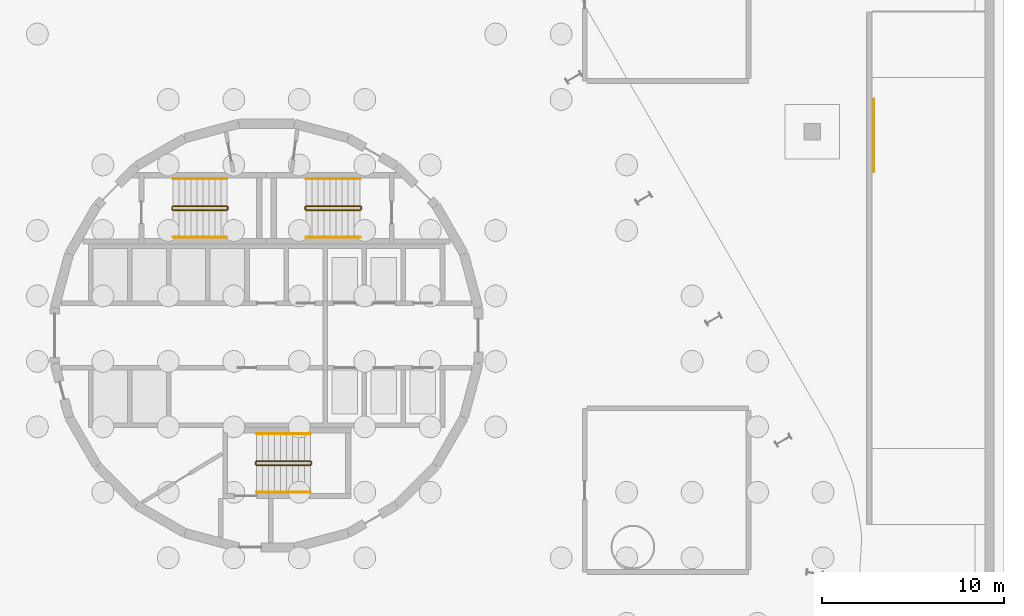
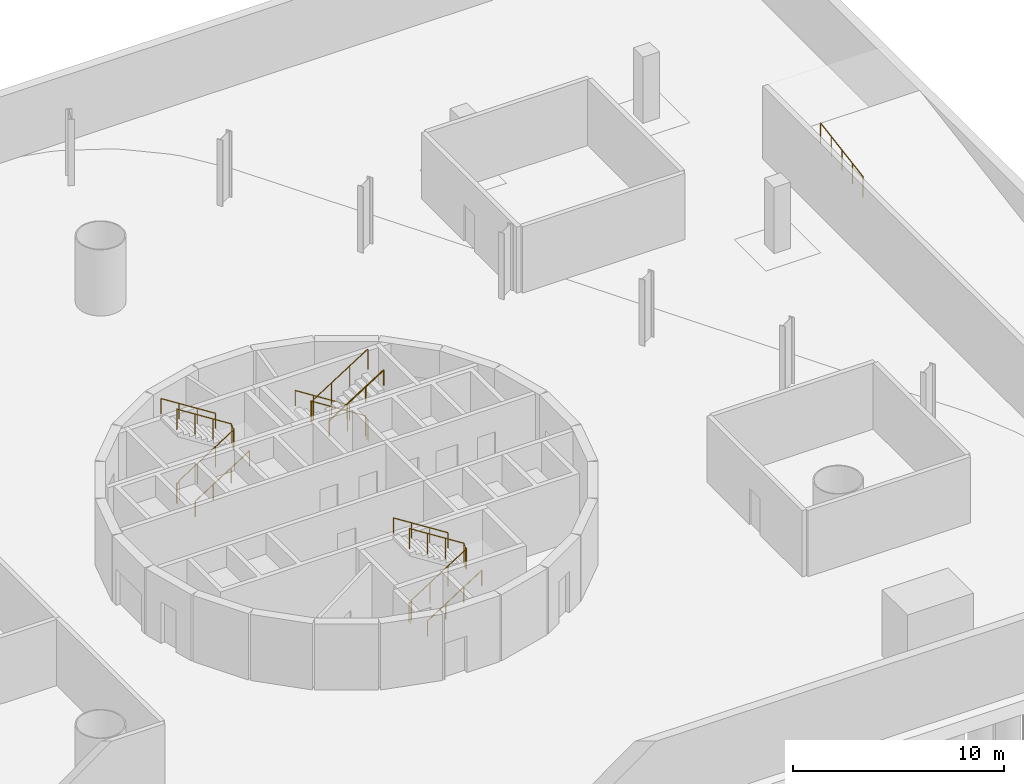
# One storey, part 10 of 11: 10 railings.
"""IFC4 building model written with IfcOpenShell, lengths in metres."""

import ifcopenshell
import ifcopenshell.guid

model = None  # the IFC model being written
_history = None  # IfcOwnerHistory: only IFC2X3 demands one
_inside = {}  # id of a spatial element -> (the spatial element, [elements in it])
_under = {}  # id of a project, library or spatial element -> (it, [spatial elements below it])
_declared = {}  # id of a project -> (the project, [libraries it declares])
_typed = {}  # id of a type object -> (the type object, [elements of that type])
_made_of = {}  # id of a material, layer set ... -> (it, [elements and type objects made of it])


def new_model(schema):
    """Start an empty IFC model of exactly this schema.

    Asked for "IFC4X3", IfcOpenShell would pick the latest addendum, in which some entities
    have other attributes; the version numbers below select the first issue.
    IFC2X3 requires an IfcOwnerHistory on every rooted entity: one is made here for all.
    """
    global model, _history
    if schema == "IFC4X3":
        model = ifcopenshell.file(schema_version=(4, 3, 0, 0))
    else:
        model = ifcopenshell.file(schema=schema)
    _inside.clear()
    _under.clear()
    _declared.clear()
    _typed.clear()
    _made_of.clear()
    _history = None
    if model.schema == "IFC2X3":
        org = make("IfcOrganization", Name="unknown")
        user = make(
            "IfcPersonAndOrganization",
            ThePerson=make("IfcPerson", FamilyName="unknown"),
            TheOrganization=org,
        )
        app = make(
            "IfcApplication",
            ApplicationDeveloper=org,
            Version="unknown",
            ApplicationFullName="unknown",
            ApplicationIdentifier="unknown",
        )
        _history = make(
            "IfcOwnerHistory",
            OwningUser=user,
            OwningApplication=app,
            ChangeAction="ADDED",
            CreationDate=0,
        )
    return model


def make(cls, **values):
    """One entity of the class cls with the attributes given. An attribute that is None is left unset."""
    return model.create_entity(
        cls, **{name: value for name, value in values.items() if value is not None}
    )


def rooted(cls, **values):
    """An entity with a GlobalId (a new one), such as an element, a storey or a relation."""
    return make(cls, GlobalId=ifcopenshell.guid.new(), OwnerHistory=_history, **values)


def si_unit(unit_type, name, prefix=None):
    """IfcSIUnit, for example si_unit("LENGTHUNIT", "METRE", prefix="MILLI")."""
    return make("IfcSIUnit", UnitType=unit_type, Prefix=prefix, Name=name)


def assignment(units):
    """IfcUnitAssignment: the units of a project."""
    return None if units is None else make("IfcUnitAssignment", Units=units)


def point(xyz):
    """IfcCartesianPoint."""
    return None if xyz is None else make("IfcCartesianPoint", Coordinates=xyz)


def direction(xyz):
    """IfcDirection."""
    return None if xyz is None else make("IfcDirection", DirectionRatios=xyz)


def frame(location, z_axis=None, x_axis=None):
    """IfcAxis2Placement3D, a coordinate frame: its origin and axes. An axis left out is left unset."""
    return make(
        "IfcAxis2Placement3D",
        Location=point(location),
        Axis=direction(z_axis),
        RefDirection=direction(x_axis),
    )


def frame_2d(location, x_axis=None):
    """IfcAxis2Placement2D, a coordinate frame in the plane: its origin and x axis."""
    return make(
        "IfcAxis2Placement2D", Location=point(location), RefDirection=direction(x_axis)
    )


def origin():
    """The frame at (0, 0, 0) with its axes left unset."""
    return frame((0.0, 0.0, 0.0))


def origin_2d():
    """The frame at (0, 0) in the plane with its x axis left unset."""
    return frame_2d((0.0, 0.0))


def place(relative_to, where):
    """IfcLocalPlacement: puts the frame where relative to a parent placement (None: the world)."""
    return make(
        "IfcLocalPlacement", PlacementRelTo=relative_to, RelativePlacement=where
    )


def context(
    kind, dimensions, precision=None, world=None, true_north=None, identifier=None
):
    """IfcGeometricRepresentationContext, for example the 3D "Model" context."""
    return make(
        "IfcGeometricRepresentationContext",
        ContextIdentifier=identifier,
        ContextType=kind,
        CoordinateSpaceDimension=dimensions,
        Precision=precision,
        WorldCoordinateSystem=world,
        TrueNorth=true_north,
    )


def subcontext(parent, identifier, kind, view, scale=None):
    """IfcGeometricRepresentationSubContext, for example "Body" below "Model"."""
    return make(
        "IfcGeometricRepresentationSubContext",
        ContextIdentifier=identifier,
        ContextType=kind,
        ParentContext=parent,
        TargetScale=scale,
        TargetView=view,
    )


def project(units=None, contexts=None):
    """IfcProject with its units and contexts."""
    return rooted(
        "IfcProject",
        Name="project",
        RepresentationContexts=contexts,
        UnitsInContext=assignment(units),
    )


def spatial(cls, under=None, at=None, **own):
    """A site, building, storey or space (cls), placed at a placement, below another one or the project."""
    s = rooted(cls, ObjectPlacement=at, **own)
    if under is not None:
        _under.setdefault(under.id(), (under, []))[1].append(s)
    return s


def profile(cls, at=None, kind="AREA", **sizes):
    """A parametric profile (cls). Its sizes go by their IFC names, for example OverallWidth=200.0."""
    return make(cls, ProfileType=kind, Position=at, **sizes)


def circle(**sizes):
    """IfcCircleProfileDef."""
    return profile("IfcCircleProfileDef", **sizes)


def extrude(swept, where, along, depth):
    """IfcExtrudedAreaSolid: the profile swept, set in the frame where, extruded along a direction by depth."""
    return make(
        "IfcExtrudedAreaSolid",
        SweptArea=swept,
        Position=where,
        ExtrudedDirection=direction(along),
        Depth=depth,
    )


def shape(context_of_items, identifier, shape_type, items):
    """IfcShapeRepresentation: the items that make up one representation, for example the "Body"."""
    return make(
        "IfcShapeRepresentation",
        ContextOfItems=context_of_items,
        RepresentationIdentifier=identifier,
        RepresentationType=shape_type,
        Items=items,
    )


def material(Name=None, Category=None):
    """IfcMaterial."""
    return make("IfcMaterial", Name=Name, Category=Category)


def made_of(thing, what):
    """Note that an element or type object is made of a material, layer set ...; save() writes the relation."""
    if what is not None:
        _made_of.setdefault(what.id(), (what, []))[1].append(thing)
    return thing


def type_object(cls, material=None, **own):
    """A type object (cls), such as IfcWallType, which elements share."""
    return made_of(rooted(cls, **own), material)


def element(
    cls,
    number,
    at=None,
    inside=None,
    cuts=None,
    type_object=None,
    material=None,
    context=None,
    identifier="Body",
    shape_type=None,
    held_by="IfcProductDefinitionShape",
    body=None,
    shapes=None,
    **own,
):
    """One element of the class cls, such as IfcWall. Its Tag is "e" and its number.

    at: its placement. inside: the storey or other place that contains it. cuts: it is an
    opening in that element (IfcRelVoidsElement). A single representation is given by context,
    identifier, shape_type and body (its items); several are given by shapes. held_by: the class
    of the entity that holds the representations. save() writes the other relations.
    """
    e = rooted(cls, Tag="e%d" % number, ObjectPlacement=at, **own)
    if body is not None:
        shapes = [shape(context, identifier, shape_type, body)]
    if shapes is not None:
        e.Representation = make(held_by, Representations=shapes)
    if inside is not None:
        _inside.setdefault(inside.id(), (inside, []))[1].append(e)
    if cuts is not None:
        rooted(
            "IfcRelVoidsElement", RelatingBuildingElement=cuts, RelatedOpeningElement=e
        )
    if type_object is not None:
        _typed.setdefault(type_object.id(), (type_object, []))[1].append(e)
    return made_of(e, material)


def aggregate(whole, parts):
    """IfcRelAggregates: a whole, such as a stair, and the parts it consists of."""
    return rooted("IfcRelAggregates", RelatingObject=whole, RelatedObjects=parts)


def save(model, path):
    """Write the relations noted so far, then the file.

    IfcRelAggregates (storeys below a building ...), IfcRelContainedInSpatialStructure (elements
    in a storey), IfcRelDefinesByType, IfcRelAssociatesMaterial and IfcRelDeclares: one each for
    every whole, place, type object, material and project.
    """
    for whole, parts in _under.values():
        aggregate(whole, parts)
    for where, things in _inside.values():
        rooted(
            "IfcRelContainedInSpatialStructure",
            RelatedElements=things,
            RelatingStructure=where,
        )
    for kind, things in _typed.values():
        rooted("IfcRelDefinesByType", RelatedObjects=things, RelatingType=kind)
    for what, things in _made_of.values():
        rooted("IfcRelAssociatesMaterial", RelatedObjects=things, RelatingMaterial=what)
    for by, libraries in _declared.values():
        rooted("IfcRelDeclares", RelatingContext=by, RelatedDefinitions=libraries)
    model.write(path)


model = new_model("IFC4")

# Units and contexts
model_context = context("Model", 3, precision=1e-05, world=origin(), true_north=direction((0.0, 1.0)))
body_context = subcontext(model_context, "Body", "Model", "MODEL_VIEW")
ifc_project = project(units=[si_unit("LENGTHUNIT", "METRE"), si_unit("AREAUNIT", "SQUARE_METRE"), si_unit("VOLUMEUNIT", "CUBIC_METRE"), si_unit("PLANEANGLEUNIT", "RADIAN"), si_unit("MASSUNIT", "GRAM", prefix="KILO")], contexts=[model_context])

# Site, building, storey
site_placement = place(None, origin())
site = spatial("IfcSite", under=ifc_project, at=site_placement, CompositionType="ELEMENT")
building_placement = place(site_placement, origin())
building = spatial("IfcBuilding", under=site, at=building_placement, Name="Spindle Arch Residences", CompositionType="ELEMENT")
storey_placement = place(building_placement, frame((0.0, 0.0, -8.39990234375)))
storey = spatial("IfcBuildingStorey", under=building, at=storey_placement, Name="B2", CompositionType="ELEMENT", Elevation=-8.39990234375)

# Railings
ifc_material_1 = material(Name="Stainless steel balustrade", Category="steel")
railing_type_1 = type_object("IfcRailingType", Name="Plaza and trench guard 1200", PredefinedType="GUARDRAIL", material=ifc_material_1)
railing_1_placement = place(storey_placement, frame((33.39990234375, 13.0, 3.64990234375)))
element("IfcRailing", 1, at=railing_1_placement, inside=storey, type_object=railing_type_1, Name="Ramp E1 slab edge guard", PredefinedType="GUARDRAIL", context=body_context, shape_type="SweptSolid", body=[
    extrude(circle(Radius=0.02392578125, at=origin_2d()), frame((0.0, 0.0, 1.17578125), z_axis=(0.0, -0.986390669341, -0.16441851306), x_axis=(1.0, 0.0, 0.0)), (0.0, 0.0, 1.0), 4.05517578125),
    extrude(circle(Radius=0.02099609375, at=origin_2d()), origin(), (0.0, 0.0, 1.0), 1.15185546875),
    extrude(circle(Radius=0.02099609375, at=origin_2d()), frame((0.0, -1.0, -0.166748046875)), (0.0, 0.0, 1.0), 1.15185546875),
    extrude(circle(Radius=0.02099609375, at=origin_2d()), frame((0.0, -2.0, -0.33349609375)), (0.0, 0.0, 1.0), 1.15185546875),
    extrude(circle(Radius=0.02099609375, at=origin_2d()), frame((0.0, -3.0, -0.5)), (0.0, 0.0, 1.0), 1.15185546875),
    extrude(circle(Radius=0.02099609375, at=origin_2d()), frame((0.0, -4.0, -0.666748046875)), (0.0, 0.0, 1.0), 1.15185546875),
])
ifc_material_2 = material(Name="Steel, painted", Category="steel")
railing_type_2 = type_object("IfcRailingType", Name="Stair guard 1100", PredefinedType="GUARDRAIL", material=ifc_material_2)
railing_2_placement = place(storey_placement, frame((5.14990234375, 6.89990234375, 4.199951171875)))
element("IfcRailing", 2, at=railing_2_placement, inside=storey, type_object=railing_type_2, Name="B2 ST1 stair guard 1", PredefinedType="GUARDRAIL", context=body_context, shape_type="SweptSolid", body=[
    extrude(circle(Radius=0.02392578125, at=origin_2d()), frame((0.0, 0.0, 1.17578125), z_axis=(-0.843641498059, 0.0, -0.536906903245), x_axis=(0.0, -1.0, 0.0)), (0.0, 0.0, 1.0), 3.5205078125),
    extrude(circle(Radius=0.02392578125, at=origin_2d()), frame((-2.969970703125, 0.0, -0.71435546875), z_axis=(-0.22588246044, 0.22588246044, -0.947604468189), x_axis=(-0.707106781187, -0.707106781187, 0.0)), (0.0, 0.0, 1.0), 0.2216796875),
    extrude(circle(Radius=0.02392578125, at=origin_2d()), frame((-3.02001953125, 0.050048828125, -0.92431640625), z_axis=(0.0, 1.0, 0.0), x_axis=(-1.0, 0.0, 0.0)), (0.0, 0.0, 1.0), 0.1201171875),
    extrude(circle(Radius=0.02392578125, at=origin_2d()), frame((-3.02001953125, 0.170166015625, -0.92431640625), z_axis=(0.707106781187, 0.707106781187, 0.0), x_axis=(-0.707106781187, 0.707106781187, 0.0)), (0.0, 0.0, 1.0), 0.07080078125),
    extrude(circle(Radius=0.02392578125, at=origin_2d()), frame((-2.969970703125, 0.22021484375, -0.92431640625), z_axis=(0.843672910302, 0.0, -0.536857542018), x_axis=(0.0, 1.0, 0.0)), (0.0, 0.0, 1.0), 3.520263671875),
    extrude(circle(Radius=0.02392578125, at=origin_2d()), frame((0.0, 0.22021484375, -2.81396484375), z_axis=(0.22588246044, -0.22588246044, -0.947604468189), x_axis=(0.707106781187, 0.707106781187, 0.0)), (0.0, 0.0, 1.0), 0.2216796875),
    extrude(circle(Radius=0.02392578125, at=origin_2d()), frame((0.050048828125, 0.170166015625, -3.02392578125), z_axis=(0.0, -1.0, 0.0), x_axis=(1.0, 0.0, 0.0)), (0.0, 0.0, 1.0), 0.1201171875),
    extrude(circle(Radius=0.02099609375, at=origin_2d()), origin(), (0.0, 0.0, 1.0), 1.15185546875),
    extrude(circle(Radius=0.02099609375, at=origin_2d()), frame((-0.989990234375, 0.0, -0.630126953125)), (0.0, 0.0, 1.0), 1.15185546875),
    extrude(circle(Radius=0.02099609375, at=origin_2d()), frame((-1.97998046875, 0.0, -1.260009765625)), (0.0, 0.0, 1.0), 1.15185546875),
    extrude(circle(Radius=0.02099609375, at=origin_2d()), frame((-2.969970703125, 0.0, -1.89013671875)), (0.0, 0.0, 1.0), 1.15185546875),
    extrude(circle(Radius=0.02099609375, at=origin_2d()), frame((-3.02001953125, 0.050048828125, -2.10009765625)), (0.0, 0.0, 1.0), 1.15185546875),
    extrude(circle(Radius=0.02099609375, at=origin_2d()), frame((-3.02001953125, 0.170166015625, -2.10009765625)), (0.0, 0.0, 1.0), 1.15185546875),
    extrude(circle(Radius=0.02099609375, at=origin_2d()), frame((-2.969970703125, 0.22021484375, -2.10009765625)), (0.0, 0.0, 1.0), 1.15185546875),
    extrude(circle(Radius=0.02099609375, at=origin_2d()), frame((-1.97998046875, 0.22021484375, -2.72998046875)), (0.0, 0.0, 1.0), 1.15185546875),
    extrude(circle(Radius=0.02099609375, at=origin_2d()), frame((-0.989990234375, 0.22021484375, -3.360107421875)), (0.0, 0.0, 1.0), 1.15185546875),
    extrude(circle(Radius=0.02099609375, at=origin_2d()), frame((0.0, 0.22021484375, -3.989990234375)), (0.0, 0.0, 1.0), 1.15185546875),
    extrude(circle(Radius=0.02099609375, at=origin_2d()), frame((0.050048828125, 0.170166015625, -4.199951171875)), (0.0, 0.0, 1.0), 1.15185546875),
    extrude(circle(Radius=0.02099609375, at=origin_2d()), frame((0.050048828125, 0.050048828125, -4.199951171875)), (0.0, 0.0, 1.0), 1.15185546875),
])
railing_3_placement = place(storey_placement, frame((-5.14990234375, 7.1201171875, 4.199951171875)))
element("IfcRailing", 3, at=railing_3_placement, inside=storey, type_object=railing_type_2, Name="B2 ST2 stair guard 1", PredefinedType="GUARDRAIL", context=body_context, shape_type="SweptSolid", body=[
    extrude(circle(Radius=0.02392578125, at=origin_2d()), frame((0.0, 0.0, 1.17578125), z_axis=(0.843641498059, 0.0, -0.536906903245), x_axis=(0.0, 1.0, 0.0)), (0.0, 0.0, 1.0), 3.5205078125),
    extrude(circle(Radius=0.02392578125, at=origin_2d()), frame((2.969970703125, 0.0, -0.71435546875), z_axis=(0.22588246044, -0.22588246044, -0.947604468189), x_axis=(0.707106781187, 0.707106781187, 0.0)), (0.0, 0.0, 1.0), 0.2216796875),
    extrude(circle(Radius=0.02392578125, at=origin_2d()), frame((3.02001953125, -0.050048828125, -0.92431640625), z_axis=(0.0, -1.0, 0.0), x_axis=(1.0, 0.0, 0.0)), (0.0, 0.0, 1.0), 0.1201171875),
    extrude(circle(Radius=0.02392578125, at=origin_2d()), frame((3.02001953125, -0.170166015625, -0.92431640625), z_axis=(-0.707106781187, -0.707106781187, 0.0), x_axis=(0.707106781187, -0.707106781187, 0.0)), (0.0, 0.0, 1.0), 0.07080078125),
    extrude(circle(Radius=0.02392578125, at=origin_2d()), frame((2.969970703125, -0.22021484375, -0.92431640625), z_axis=(-0.843672910302, 0.0, -0.536857542018), x_axis=(0.0, -1.0, 0.0)), (0.0, 0.0, 1.0), 3.520263671875),
    extrude(circle(Radius=0.02392578125, at=origin_2d()), frame((0.0, -0.22021484375, -2.81396484375), z_axis=(-0.22588246044, 0.22588246044, -0.947604468189), x_axis=(-0.707106781187, -0.707106781187, 0.0)), (0.0, 0.0, 1.0), 0.2216796875),
    extrude(circle(Radius=0.02392578125, at=origin_2d()), frame((-0.050048828125, -0.170166015625, -3.02392578125), z_axis=(0.0, 1.0, 0.0), x_axis=(-1.0, 0.0, 0.0)), (0.0, 0.0, 1.0), 0.1201171875),
    extrude(circle(Radius=0.02099609375, at=origin_2d()), origin(), (0.0, 0.0, 1.0), 1.15185546875),
    extrude(circle(Radius=0.02099609375, at=origin_2d()), frame((0.989990234375, 0.0, -0.630126953125)), (0.0, 0.0, 1.0), 1.15185546875),
    extrude(circle(Radius=0.02099609375, at=origin_2d()), frame((1.97998046875, 0.0, -1.260009765625)), (0.0, 0.0, 1.0), 1.15185546875),
    extrude(circle(Radius=0.02099609375, at=origin_2d()), frame((2.969970703125, 0.0, -1.89013671875)), (0.0, 0.0, 1.0), 1.15185546875),
    extrude(circle(Radius=0.02099609375, at=origin_2d()), frame((3.02001953125, -0.050048828125, -2.10009765625)), (0.0, 0.0, 1.0), 1.15185546875),
    extrude(circle(Radius=0.02099609375, at=origin_2d()), frame((3.02001953125, -0.170166015625, -2.10009765625)), (0.0, 0.0, 1.0), 1.15185546875),
    extrude(circle(Radius=0.02099609375, at=origin_2d()), frame((2.969970703125, -0.22021484375, -2.10009765625)), (0.0, 0.0, 1.0), 1.15185546875),
    extrude(circle(Radius=0.02099609375, at=origin_2d()), frame((1.97998046875, -0.22021484375, -2.72998046875)), (0.0, 0.0, 1.0), 1.15185546875),
    extrude(circle(Radius=0.02099609375, at=origin_2d()), frame((0.989990234375, -0.22021484375, -3.360107421875)), (0.0, 0.0, 1.0), 1.15185546875),
    extrude(circle(Radius=0.02099609375, at=origin_2d()), frame((0.0, -0.22021484375, -3.989990234375)), (0.0, 0.0, 1.0), 1.15185546875),
    extrude(circle(Radius=0.02099609375, at=origin_2d()), frame((-0.050048828125, -0.170166015625, -4.199951171875)), (0.0, 0.0, 1.0), 1.15185546875),
    extrude(circle(Radius=0.02099609375, at=origin_2d()), frame((-0.050048828125, -0.050048828125, -4.199951171875)), (0.0, 0.0, 1.0), 1.15185546875),
])
railing_4_placement = place(storey_placement, frame((-0.550048828125, -6.89990234375, 4.199951171875)))
element("IfcRailing", 4, at=railing_4_placement, inside=storey, type_object=railing_type_2, Name="B2 ST3 stair guard 1", PredefinedType="GUARDRAIL", context=body_context, shape_type="SweptSolid", body=[
    extrude(circle(Radius=0.02392578125, at=origin_2d()), frame((0.0, 0.0, 1.17578125), z_axis=(0.843641498059, 0.0, -0.536906903245), x_axis=(0.0, 1.0, 0.0)), (0.0, 0.0, 1.0), 3.5205078125),
    extrude(circle(Radius=0.02392578125, at=origin_2d()), frame((2.969970703125, 0.0, -0.71435546875), z_axis=(0.22588246044, -0.22588246044, -0.947604468189), x_axis=(0.707106781187, 0.707106781187, 0.0)), (0.0, 0.0, 1.0), 0.2216796875),
    extrude(circle(Radius=0.02392578125, at=origin_2d()), frame((3.02001953125, -0.050048828125, -0.92431640625), z_axis=(0.0, -1.0, 0.0), x_axis=(1.0, 0.0, 0.0)), (0.0, 0.0, 1.0), 0.1201171875),
    extrude(circle(Radius=0.02392578125, at=origin_2d()), frame((3.02001953125, -0.170166015625, -0.92431640625), z_axis=(-0.707106781187, -0.707106781187, 0.0), x_axis=(0.707106781187, -0.707106781187, 0.0)), (0.0, 0.0, 1.0), 0.07080078125),
    extrude(circle(Radius=0.02392578125, at=origin_2d()), frame((2.969970703125, -0.22021484375, -0.92431640625), z_axis=(-0.843672910302, 0.0, -0.536857542018), x_axis=(0.0, -1.0, 0.0)), (0.0, 0.0, 1.0), 3.520263671875),
    extrude(circle(Radius=0.02392578125, at=origin_2d()), frame((0.0, -0.22021484375, -2.81396484375), z_axis=(-0.22588246044, 0.22588246044, -0.947604468189), x_axis=(-0.707106781187, -0.707106781187, 0.0)), (0.0, 0.0, 1.0), 0.2216796875),
    extrude(circle(Radius=0.02392578125, at=origin_2d()), frame((-0.050048828125, -0.170166015625, -3.02392578125), z_axis=(0.0, 1.0, 0.0), x_axis=(-1.0, 0.0, 0.0)), (0.0, 0.0, 1.0), 0.1201171875),
    extrude(circle(Radius=0.02099609375, at=origin_2d()), origin(), (0.0, 0.0, 1.0), 1.15185546875),
    extrude(circle(Radius=0.02099609375, at=origin_2d()), frame((0.989990234375, 0.0, -0.630126953125)), (0.0, 0.0, 1.0), 1.15185546875),
    extrude(circle(Radius=0.02099609375, at=origin_2d()), frame((1.97998046875, 0.0, -1.260009765625)), (0.0, 0.0, 1.0), 1.15185546875),
    extrude(circle(Radius=0.02099609375, at=origin_2d()), frame((2.969970703125, 0.0, -1.89013671875)), (0.0, 0.0, 1.0), 1.15185546875),
    extrude(circle(Radius=0.02099609375, at=origin_2d()), frame((3.02001953125, -0.050048828125, -2.10009765625)), (0.0, 0.0, 1.0), 1.15185546875),
    extrude(circle(Radius=0.02099609375, at=origin_2d()), frame((3.02001953125, -0.170166015625, -2.10009765625)), (0.0, 0.0, 1.0), 1.15185546875),
    extrude(circle(Radius=0.02099609375, at=origin_2d()), frame((2.969970703125, -0.22021484375, -2.10009765625)), (0.0, 0.0, 1.0), 1.15185546875),
    extrude(circle(Radius=0.02099609375, at=origin_2d()), frame((1.97998046875, -0.22021484375, -2.72998046875)), (0.0, 0.0, 1.0), 1.15185546875),
    extrude(circle(Radius=0.02099609375, at=origin_2d()), frame((0.989990234375, -0.22021484375, -3.360107421875)), (0.0, 0.0, 1.0), 1.15185546875),
    extrude(circle(Radius=0.02099609375, at=origin_2d()), frame((0.0, -0.22021484375, -3.989990234375)), (0.0, 0.0, 1.0), 1.15185546875),
    extrude(circle(Radius=0.02099609375, at=origin_2d()), frame((-0.050048828125, -0.170166015625, -4.199951171875)), (0.0, 0.0, 1.0), 1.15185546875),
    extrude(circle(Radius=0.02099609375, at=origin_2d()), frame((-0.050048828125, -0.050048828125, -4.199951171875)), (0.0, 0.0, 1.0), 1.15185546875),
])
ifc_material_3 = material(Name="Steel, painted", Category="steel")
railing_type_3 = type_object("IfcRailingType", Name="Stair handrail 900", PredefinedType="HANDRAIL", material=ifc_material_3)
railing_5_placement = place(storey_placement, frame((5.14990234375, 8.6201171875, 0.2099609375)))
element("IfcRailing", 5, at=railing_5_placement, inside=storey, type_object=railing_type_3, Name="B2 ST1 stair handrail 1", PredefinedType="HANDRAIL", context=body_context, shape_type="SweptSolid", body=[
    extrude(circle(Radius=0.02392578125, at=origin_2d()), frame((0.0, 0.0, 0.8759765625), z_axis=(-0.843672910302, 0.0, 0.536857542018), x_axis=(0.0, -1.0, 0.0)), (0.0, 0.0, 1.0), 3.520263671875),
    extrude(circle(Radius=0.02099609375, at=origin_2d()), origin(), (0.0, 0.0, 1.0), 0.851806640625),
    extrude(circle(Radius=0.02099609375, at=origin_2d()), frame((-0.989990234375, 0.0, 0.6298828125)), (0.0, 0.0, 1.0), 0.851806640625),
    extrude(circle(Radius=0.02099609375, at=origin_2d()), frame((-1.97998046875, 0.0, 1.260009765625)), (0.0, 0.0, 1.0), 0.851806640625),
    extrude(circle(Radius=0.02099609375, at=origin_2d()), frame((-2.969970703125, 0.0, 1.889892578125)), (0.0, 0.0, 1.0), 0.851806640625),
])
railing_6_placement = place(storey_placement, frame((2.179931640625, 5.39990234375, 2.309814453125)))
element("IfcRailing", 6, at=railing_6_placement, inside=storey, type_object=railing_type_3, Name="B2 ST1 stair handrail 2", PredefinedType="HANDRAIL", context=body_context, shape_type="SweptSolid", body=[
    extrude(circle(Radius=0.02392578125, at=origin_2d()), frame((0.0, 0.0, 0.8759765625), z_axis=(0.843641498059, 0.0, 0.536906903245), x_axis=(0.0, 1.0, 0.0)), (0.0, 0.0, 1.0), 3.5205078125),
    extrude(circle(Radius=0.02099609375, at=origin_2d()), origin(), (0.0, 0.0, 1.0), 0.851806640625),
    extrude(circle(Radius=0.02099609375, at=origin_2d()), frame((0.989990234375, 0.0, 0.630126953125)), (0.0, 0.0, 1.0), 0.851806640625),
    extrude(circle(Radius=0.02099609375, at=origin_2d()), frame((1.97998046875, 0.0, 1.260009765625)), (0.0, 0.0, 1.0), 0.851806640625),
    extrude(circle(Radius=0.02099609375, at=origin_2d()), frame((2.969970703125, 0.0, 1.89013671875)), (0.0, 0.0, 1.0), 0.851806640625),
])
railing_7_placement = place(storey_placement, frame((-5.14990234375, 5.39990234375, 0.2099609375)))
element("IfcRailing", 7, at=railing_7_placement, inside=storey, type_object=railing_type_3, Name="B2 ST2 stair handrail 1", PredefinedType="HANDRAIL", context=body_context, shape_type="SweptSolid", body=[
    extrude(circle(Radius=0.02392578125, at=origin_2d()), frame((0.0, 0.0, 0.8759765625), z_axis=(0.843672910302, 0.0, 0.536857542018), x_axis=(0.0, 1.0, 0.0)), (0.0, 0.0, 1.0), 3.520263671875),
    extrude(circle(Radius=0.02099609375, at=origin_2d()), origin(), (0.0, 0.0, 1.0), 0.851806640625),
    extrude(circle(Radius=0.02099609375, at=origin_2d()), frame((0.989990234375, 0.0, 0.6298828125)), (0.0, 0.0, 1.0), 0.851806640625),
    extrude(circle(Radius=0.02099609375, at=origin_2d()), frame((1.97998046875, 0.0, 1.260009765625)), (0.0, 0.0, 1.0), 0.851806640625),
    extrude(circle(Radius=0.02099609375, at=origin_2d()), frame((2.969970703125, 0.0, 1.889892578125)), (0.0, 0.0, 1.0), 0.851806640625),
])
railing_8_placement = place(storey_placement, frame((-2.179931640625, 8.6201171875, 2.309814453125)))
element("IfcRailing", 8, at=railing_8_placement, inside=storey, type_object=railing_type_3, Name="B2 ST2 stair handrail 2", PredefinedType="HANDRAIL", context=body_context, shape_type="SweptSolid", body=[
    extrude(circle(Radius=0.02392578125, at=origin_2d()), frame((0.0, 0.0, 0.8759765625), z_axis=(-0.843641498059, 0.0, 0.536906903245), x_axis=(0.0, -1.0, 0.0)), (0.0, 0.0, 1.0), 3.5205078125),
    extrude(circle(Radius=0.02099609375, at=origin_2d()), origin(), (0.0, 0.0, 1.0), 0.851806640625),
    extrude(circle(Radius=0.02099609375, at=origin_2d()), frame((-0.989990234375, 0.0, 0.630126953125)), (0.0, 0.0, 1.0), 0.851806640625),
    extrude(circle(Radius=0.02099609375, at=origin_2d()), frame((-1.97998046875, 0.0, 1.260009765625)), (0.0, 0.0, 1.0), 0.851806640625),
    extrude(circle(Radius=0.02099609375, at=origin_2d()), frame((-2.969970703125, 0.0, 1.89013671875)), (0.0, 0.0, 1.0), 0.851806640625),
])
railing_9_placement = place(storey_placement, frame((-0.550048828125, -8.6201171875, 0.2099609375)))
element("IfcRailing", 9, at=railing_9_placement, inside=storey, type_object=railing_type_3, Name="B2 ST3 stair handrail 1", PredefinedType="HANDRAIL", context=body_context, shape_type="SweptSolid", body=[
    extrude(circle(Radius=0.02392578125, at=origin_2d()), frame((0.0, 0.0, 0.8759765625), z_axis=(0.843672910302, 0.0, 0.536857542018), x_axis=(0.0, 1.0, 0.0)), (0.0, 0.0, 1.0), 3.520263671875),
    extrude(circle(Radius=0.02099609375, at=origin_2d()), origin(), (0.0, 0.0, 1.0), 0.851806640625),
    extrude(circle(Radius=0.02099609375, at=origin_2d()), frame((0.989990234375, 0.0, 0.6298828125)), (0.0, 0.0, 1.0), 0.851806640625),
    extrude(circle(Radius=0.02099609375, at=origin_2d()), frame((1.97998046875, 0.0, 1.260009765625)), (0.0, 0.0, 1.0), 0.851806640625),
    extrude(circle(Radius=0.02099609375, at=origin_2d()), frame((2.969970703125, 0.0, 1.889892578125)), (0.0, 0.0, 1.0), 0.851806640625),
])
railing_10_placement = place(storey_placement, frame((2.419921875, -5.39990234375, 2.309814453125)))
element("IfcRailing", 10, at=railing_10_placement, inside=storey, type_object=railing_type_3, Name="B2 ST3 stair handrail 2", PredefinedType="HANDRAIL", context=body_context, shape_type="SweptSolid", body=[
    extrude(circle(Radius=0.02392578125, at=origin_2d()), frame((0.0, 0.0, 0.8759765625), z_axis=(-0.843641498059, 0.0, 0.536906903245), x_axis=(0.0, -1.0, 0.0)), (0.0, 0.0, 1.0), 3.5205078125),
    extrude(circle(Radius=0.02099609375, at=origin_2d()), origin(), (0.0, 0.0, 1.0), 0.851806640625),
    extrude(circle(Radius=0.02099609375, at=origin_2d()), frame((-0.989990234375, 0.0, 0.630126953125)), (0.0, 0.0, 1.0), 0.851806640625),
    extrude(circle(Radius=0.02099609375, at=origin_2d()), frame((-1.97998046875, 0.0, 1.260009765625)), (0.0, 0.0, 1.0), 0.851806640625),
    extrude(circle(Radius=0.02099609375, at=origin_2d()), frame((-2.969970703125, 0.0, 1.89013671875)), (0.0, 0.0, 1.0), 0.851806640625),
])

save(model, "model.ifc")
